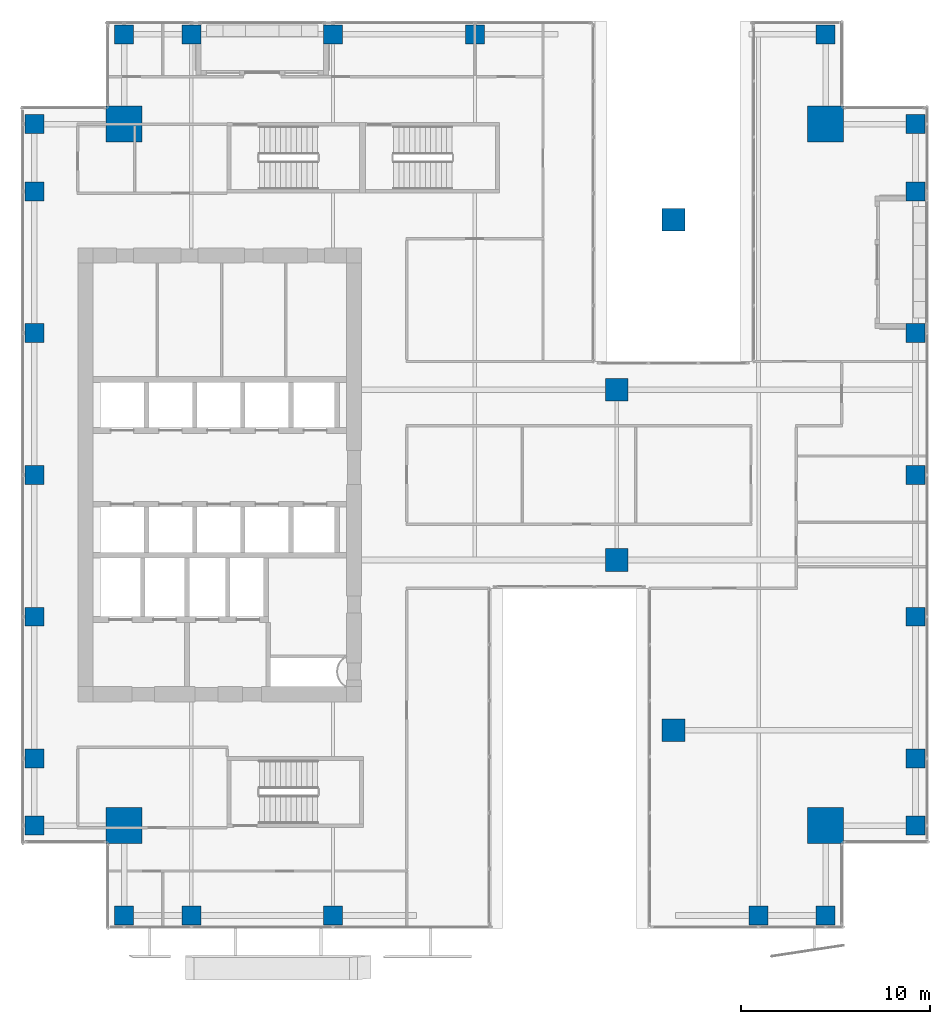
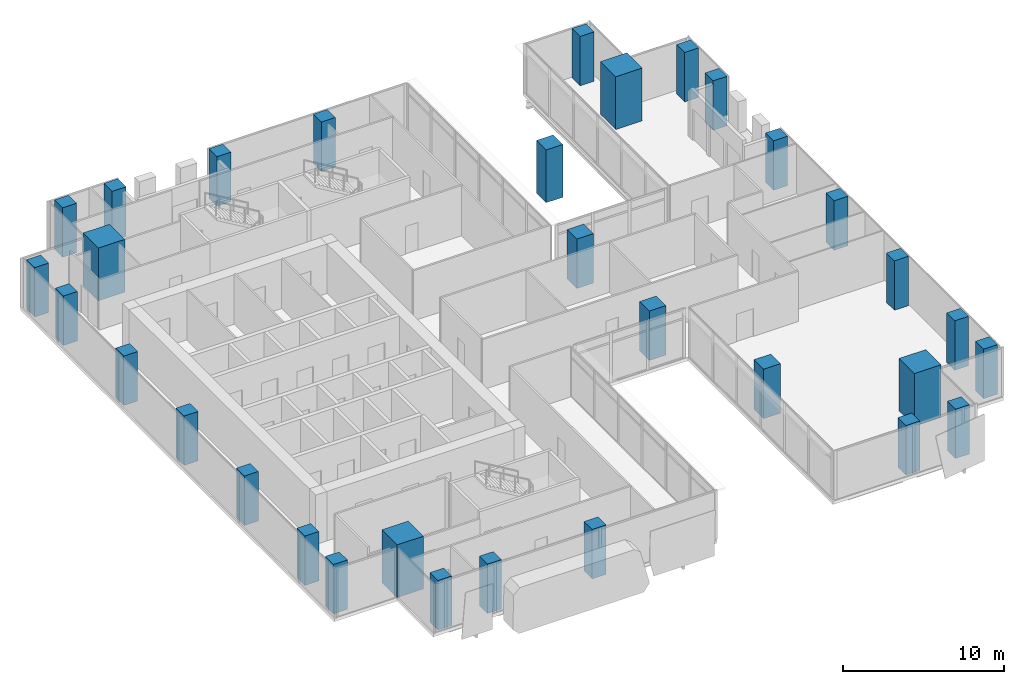
# One storey, part 1 of 40: 32 columns.
"""IFC4 building model written with IfcOpenShell, lengths in metres."""

from ifc_helpers import new_model, si_unit, direction, frame, origin, origin_2d, place, context, subcontext, project, spatial, rectangle, extrude, source, transform, mapped, material, material_profile, profile_set, type_object, element, save


model = new_model("IFC4")

# Units and contexts
model_context = context("Model", 3, precision=1e-05, world=origin(), true_north=direction((0.0, 1.0)))
body_context = subcontext(model_context, "Body", "Model", "MODEL_VIEW")
ifc_project = project(units=[si_unit("LENGTHUNIT", "METRE"), si_unit("AREAUNIT", "SQUARE_METRE"), si_unit("VOLUMEUNIT", "CUBIC_METRE"), si_unit("PLANEANGLEUNIT", "RADIAN"), si_unit("MASSUNIT", "GRAM", prefix="KILO")], contexts=[model_context])

# Site, building, storey
site_placement = place(None, origin())
site = spatial("IfcSite", under=ifc_project, at=site_placement, CompositionType="ELEMENT")
building_placement = place(site_placement, origin())
building = spatial("IfcBuilding", under=site, at=building_placement, Name="Khomas Fold Tower", CompositionType="ELEMENT")
storey_placement = place(building_placement, frame((0.0, 0.0, 180.699951171875)))
storey = spatial("IfcBuildingStorey", under=building, at=storey_placement, Name="L39", CompositionType="ELEMENT", Elevation=180.699951171875)

# Columns
ifc_material_1 = material(Name="Concrete C60/75", Category="concrete")
ifc_material_profile_1 = material_profile(ifc_material_1, rectangle(XDim=1.199951171875, YDim=1.199951171875, at=origin_2d()), Name="RC 1200x1200")
ifc_profile_set_1 = profile_set([ifc_material_profile_1], Name="Concrete C60/75")
column_type_1 = type_object("IfcColumnType", Name="RC 1200x1200 column", PredefinedType="COLUMN", material=ifc_profile_set_1)
shared_shape_1 = source(origin(), body_context, "Body", "SweptSolid", [
    extrude(rectangle(XDim=1.199951171875, YDim=1.199951171875, at=origin_2d()), origin(), (0.0, 0.0, 1.0), 4.0),
])
column_placement = place(storey_placement, frame((37.5, 40.5, 0.0), z_axis=(0.0, 0.0, 1.0), x_axis=(1.0, 0.0, 0.0)))
element("IfcColumn", 1, at=column_placement, inside=storey, type_object=column_type_1, Name="C-11-P", PredefinedType="COLUMN", context=body_context, shape_type="MappedRepresentation", body=[
    mapped(shared_shape_1, transform((0.0, 0.0, 0.0))),
])
ifc_material_2 = material(Name="Concrete C60/75", Category="concrete")
ifc_material_profile_2 = material_profile(ifc_material_2, rectangle(XDim=1.89990234375, YDim=1.89990234375, at=origin_2d()), Name="RC 1900x1900")
ifc_profile_set_2 = profile_set([ifc_material_profile_2], Name="Concrete C60/75")
column_type_2 = type_object("IfcColumnType", Name="RC 1900x1900 column", PredefinedType="COLUMN", material=ifc_profile_set_2)
shared_shape_2 = source(origin(), body_context, "Body", "SweptSolid", [
    extrude(rectangle(XDim=1.89990234375, YDim=1.89990234375, at=origin_2d()), origin(), (0.0, 0.0, 1.0), 4.0),
])
for number, where, z_axis, x_axis, name in (
    (2, (45.550048828125, 45.550048828125, 0.0), (0.0, 0.0, 1.0), (1.0, 0.0, 0.0), "CM-NE"),
    (3, (8.449951171875, 45.550048828125, 0.0), (0.0, 0.0, 1.0), (1.0, 0.0, 0.0), "CM-NW"),
    (4, (45.550048828125, 8.449951171875, 0.0), (0.0, 0.0, 1.0), (1.0, 0.0, 0.0), "CM-SE"),
    (5, (8.449951171875, 8.449951171875, 0.0), (0.0, 0.0, 1.0), (1.0, 0.0, 0.0), "CM-SW"),
):
    element("IfcColumn", number, at=place(storey_placement, frame(where, z_axis=z_axis, x_axis=x_axis)), inside=storey, type_object=column_type_2, Name=name, PredefinedType="COLUMN", context=body_context, shape_type="MappedRepresentation", body=[
        mapped(shared_shape_2, transform((0.0, 0.0, 0.0))),
    ])
ifc_material_3 = material(Name="Concrete C50/60", Category="concrete")
ifc_material_profile_3 = material_profile(ifc_material_3, rectangle(XDim=1.0, YDim=1.0, at=origin_2d()), Name="RC 1000x1000")
ifc_profile_set_3 = profile_set([ifc_material_profile_3], Name="Concrete C50/60")
column_type_3 = type_object("IfcColumnType", Name="RC 1000x1000 column", PredefinedType="COLUMN", material=ifc_profile_set_3)
shared_shape_3 = source(origin(), body_context, "Body", "SweptSolid", [
    extrude(rectangle(XDim=1.0, YDim=1.0, at=origin_2d()), origin(), (0.0, 0.0, 1.0), 3.75),
])
for number, where, z_axis, x_axis, name in (
    (6, (8.449951171875, 3.699951171875, 0.0), (0.0, 0.0, 1.0), (1.0, 0.0, 0.0), "C-4-SF3"),
    (7, (12.0, 3.699951171875, 0.0), (0.0, 0.0, 1.0), (1.0, 0.0, 0.0), "C-6-SF3"),
    (8, (19.5, 3.699951171875, 0.0), (0.0, 0.0, 1.0), (1.0, 0.0, 0.0), "C-8-SF3"),
    (9, (42.0, 3.699951171875, 0.0), (0.0, 0.0, 1.0), (1.0, 0.0, 0.0), "C-13-SF3"),
    (10, (45.550048828125, 3.699951171875, 0.0), (0.0, 0.0, 1.0), (1.0, 0.0, 0.0), "C-15-SF3"),
    (11, (50.300048828125, 8.449951171875, 0.0), (0.0, 0.0, 1.0), (1.0, 0.0, 0.0), "C-E3-D"),
    (12, (50.300048828125, 12.0, 0.0), (0.0, 0.0, 1.0), (1.0, 0.0, 0.0), "C-E3-F"),
    (13, (50.300048828125, 19.5, 0.0), (0.0, 0.0, 1.0), (1.0, 0.0, 0.0), "C-E3-J"),
    (14, (50.300048828125, 27.0, 0.0), (0.0, 0.0, 1.0), (1.0, 0.0, 0.0), "C-E3-L"),
    (15, (50.300048828125, 34.5, 0.0), (0.0, 0.0, 1.0), (1.0, 0.0, 0.0), "C-E3-N"),
    (16, (50.300048828125, 42.0, 0.0), (0.0, 0.0, 1.0), (1.0, 0.0, 0.0), "C-E3-R"),
    (17, (50.300048828125, 45.550048828125, 0.0), (0.0, 0.0, 1.0), (1.0, 0.0, 0.0), "C-E3-T"),
    (18, (8.449951171875, 50.300048828125, 0.0), (0.0, 0.0, 1.0), (1.0, 0.0, 0.0), "C-4-NF3"),
    (19, (12.0, 50.300048828125, 0.0), (0.0, 0.0, 1.0), (1.0, 0.0, 0.0), "C-6-NF3"),
    (20, (19.5, 50.300048828125, 0.0), (0.0, 0.0, 1.0), (1.0, 0.0, 0.0), "C-8-NF3"),
    (21, (27.0, 50.300048828125, 0.0), (0.0, 0.0, 1.0), (1.0, 0.0, 0.0), "C-9-NF3"),
    (22, (45.550048828125, 50.300048828125, 0.0), (0.0, 0.0, 1.0), (1.0, 0.0, 0.0), "C-15-NF3"),
    (23, (3.699951171875, 8.449951171875, 0.0), (0.0, 0.0, 1.0), (1.0, 0.0, 0.0), "C-W3-D"),
    (24, (3.699951171875, 12.0, 0.0), (0.0, 0.0, 1.0), (1.0, 0.0, 0.0), "C-W3-F"),
    (25, (3.699951171875, 19.5, 0.0), (0.0, 0.0, 1.0), (1.0, 0.0, 0.0), "C-W3-J"),
    (26, (3.699951171875, 27.0, 0.0), (0.0, 0.0, 1.0), (1.0, 0.0, 0.0), "C-W3-L"),
    (27, (3.699951171875, 34.5, 0.0), (0.0, 0.0, 1.0), (1.0, 0.0, 0.0), "C-W3-N"),
    (28, (3.699951171875, 42.0, 0.0), (0.0, 0.0, 1.0), (1.0, 0.0, 0.0), "C-W3-R"),
    (29, (3.699951171875, 45.550048828125, 0.0), (0.0, 0.0, 1.0), (1.0, 0.0, 0.0), "C-W3-T"),
):
    element("IfcColumn", number, at=place(storey_placement, frame(where, z_axis=z_axis, x_axis=x_axis)), inside=storey, type_object=column_type_3, Name=name, PredefinedType="COLUMN", context=body_context, shape_type="MappedRepresentation", body=[
        mapped(shared_shape_3, transform((0.0, 0.0, 0.0))),
    ])
shared_shape_4 = source(origin(), body_context, "Body", "SweptSolid", [
    extrude(rectangle(XDim=1.199951171875, YDim=1.199951171875, at=origin_2d()), origin(), (0.0, 0.0, 1.0), 3.75),
])
for number, where, z_axis, x_axis, name in (
    (30, (37.5, 13.5, 0.0), (0.0, 0.0, 1.0), (1.0, 0.0, 0.0), "C-11-H"),
    (31, (34.5, 22.5, 0.0), (0.0, 0.0, 1.0), (1.0, 0.0, 0.0), "C-10-K"),
    (32, (34.5, 31.5, 0.0), (0.0, 0.0, 1.0), (1.0, 0.0, 0.0), "C-10-M"),
):
    element("IfcColumn", number, at=place(storey_placement, frame(where, z_axis=z_axis, x_axis=x_axis)), inside=storey, type_object=column_type_1, Name=name, PredefinedType="COLUMN", context=body_context, shape_type="MappedRepresentation", body=[
        mapped(shared_shape_4, transform((0.0, 0.0, 0.0))),
    ])

save(model, "model.ifc")
